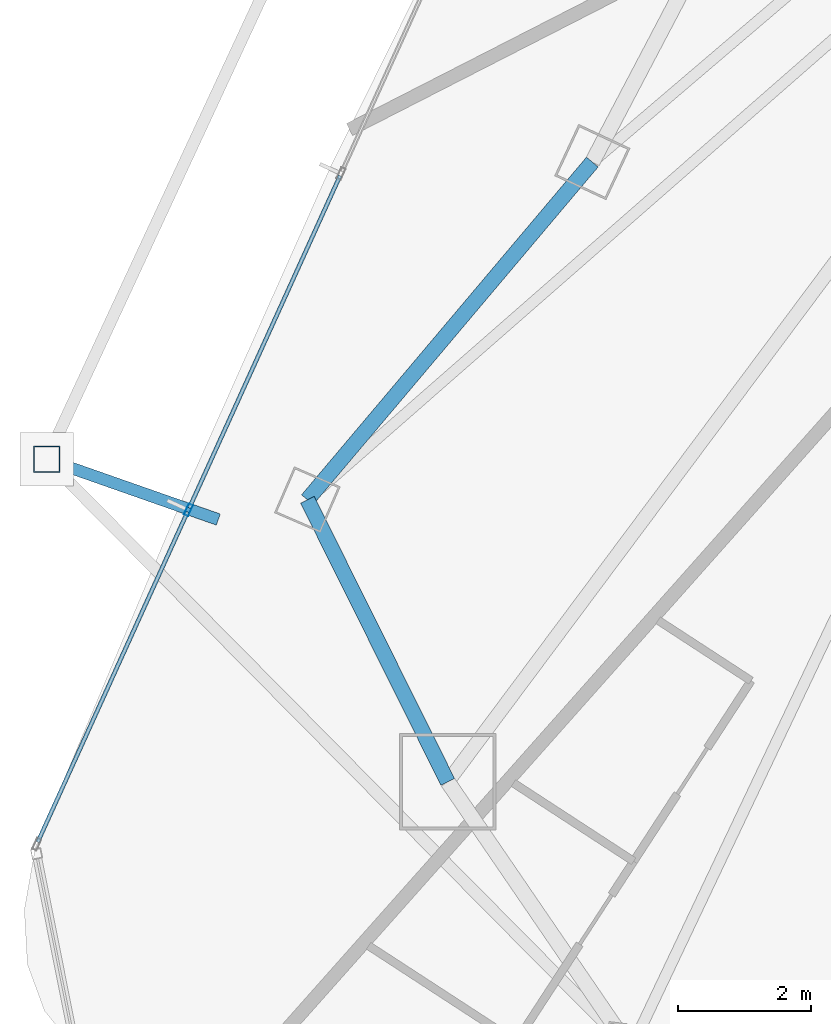
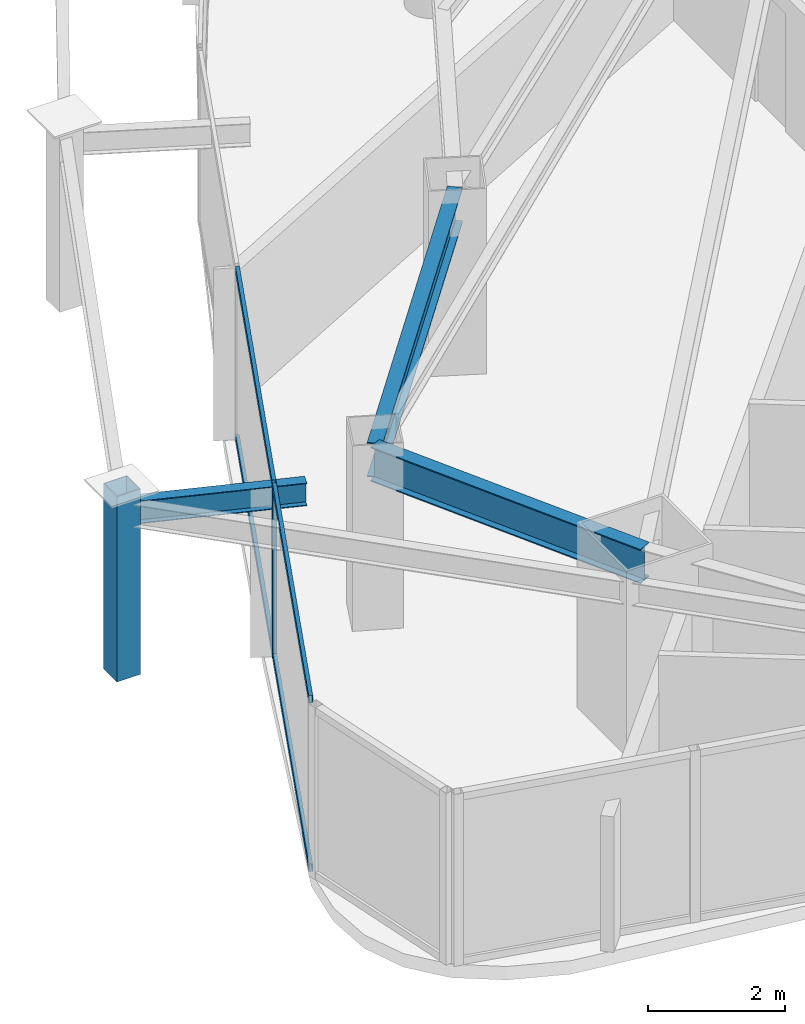
# One storey, part 5 of 31: 6 members, 3 beams, 1 element without a shape of its own.
"""IFC4 building model written with IfcOpenShell, lengths in metres."""

from ifc_helpers import new_model, si_unit, direction, frame, origin, origin_2d, place, context, subcontext, project, spatial, hollow_rectangle, i_section, extrude, material, layer, layer_set, material_profile, profile_set, type_object, element, aggregate, save


model = new_model("IFC4")

# Units and contexts
model_context = context("Model", 3, precision=1e-05, world=origin(), true_north=direction((0.0, 1.0)))
body_context = subcontext(model_context, "Body", "Model", "MODEL_VIEW")
ifc_project = project(units=[si_unit("LENGTHUNIT", "METRE"), si_unit("AREAUNIT", "SQUARE_METRE"), si_unit("VOLUMEUNIT", "CUBIC_METRE"), si_unit("PLANEANGLEUNIT", "RADIAN"), si_unit("MASSUNIT", "GRAM", prefix="KILO")], contexts=[model_context])

# Site, building, storey
site_placement = place(None, origin())
site = spatial("IfcSite", under=ifc_project, at=site_placement, CompositionType="ELEMENT")
building_placement = place(site_placement, origin())
building = spatial("IfcBuilding", under=site, at=building_placement, Name="Orvanel Arch Residences", CompositionType="ELEMENT")
storey_placement = place(building_placement, frame((0.0, 0.0, 157.25)))
storey = spatial("IfcBuildingStorey", under=building, at=storey_placement, Name="L44", CompositionType="ELEMENT", Elevation=157.25)

# Curtain wall, member
ifc_material_1 = material(Name="Bronze-anodised aluminium AA6063-T6", Category="aluminium")
ifc_layer = layer(ifc_material_1, 0.179931640625)
ifc_layer_set = layer_set([ifc_layer], Name="Bronze-anodised aluminium AA6063-T6")
curtain_wall_type = type_object("IfcCurtainWallType", Name="CW3-MID-SYS", PredefinedType="NOTDEFINED", material=ifc_layer_set)
curtain_wall_placement = place(storey_placement, origin())
curtain_wall = element("IfcCurtainWall", 1, at=curtain_wall_placement, inside=storey, type_object=curtain_wall_type, Name="L44 CW3-MID-SYS Unitised Curtain Wall", PredefinedType="NOTDEFINED")
ifc_material_profile_1 = material_profile(ifc_material_1, hollow_rectangle(XDim=0.070068359375, YDim=0.179931640625, WallThickness=0.00439453125, at=origin_2d()), Name="ALU180x70x4.5")
ifc_profile_set_1 = profile_set([ifc_material_profile_1], Name="Bronze-anodised aluminium AA6063-T6")
member_type_1 = type_object("IfcMemberType", Name="MUL-180x70", PredefinedType="MULLION", material=ifc_profile_set_1)
member_1_placement = place(storey_placement, frame((10.311767578125, 14.427001953125, 0.0), z_axis=(0.0, 0.0, 1.0), x_axis=(0.910648730279, -0.413181425091, 0.0)))
member_1 = element("IfcMember", 2, at=member_1_placement, type_object=member_type_1, Name="CW-S3 mullion 3", PredefinedType="MULLION", context=body_context, shape_type="SweptSolid", body=[
    extrude(hollow_rectangle(XDim=0.070068359375, YDim=0.179931640625, WallThickness=0.00439453125, at=origin_2d()), origin(), (0.0, 0.0, 1.0), 3.06005859375),
])

# Beams
ifc_material_2 = material(Name="Structural steel AS/NZS 3679.1 Grade 300 (300 MPa)", Category="steel")
ifc_material_profile_2 = material_profile(ifc_material_2, i_section(OverallWidth=0.177978515625, OverallDepth=0.406005859375, WebThickness=0.0078125, FlangeThickness=0.0126953125, at=origin_2d()), Name="410UB59.7")
ifc_profile_set_2 = profile_set([ifc_material_profile_2], Name="Structural steel AS/NZS 3679.1 Grade 300 (300 MPa)")
beam_type_1 = type_object("IfcBeamType", Name="OB-410UB-EXT", PredefinedType="SPANDREL", material=ifc_profile_set_2)
beam_1_placement = place(storey_placement, frame((10.760009765625, 14.282958984375, 2.85693359375), z_axis=(-0.943680931687, 0.330856916461, 0.0), x_axis=(-0.330856916461, -0.943680931687, 0.0)))
element("IfcBeam", 3, at=beam_1_placement, inside=storey, type_object=beam_type_1, Name="L44 Outer Frame Radial Tie Beam 04", PredefinedType="SPANDREL", context=body_context, shape_type="SweptSolid", body=[
    extrude(i_section(OverallWidth=0.177978515625, OverallDepth=0.406005859375, WebThickness=0.0078125, FlangeThickness=0.0126953125, at=origin_2d()), origin(), (0.0, 0.0, 1.0), 2.7265625),
])
ifc_material_profile_3 = material_profile(ifc_material_2, i_section(OverallWidth=0.22900390625, OverallDepth=0.612060546875, WebThickness=0.011962890625, FlangeThickness=0.01953125, at=origin_2d()), Name="610UB125")
ifc_profile_set_3 = profile_set([ifc_material_profile_3], Name="Structural steel AS/NZS 3679.1 Grade 300 (300 MPa)")
beam_type_2 = type_object("IfcBeamType", Name="SP-610UB", PredefinedType="SPANDREL", material=ifc_profile_set_3)
beam_2_placement = place(storey_placement, frame((16.366943359375, 19.64208984375, 2.75390625), z_axis=(-0.644950329775, -0.764224490659, 0.0), x_axis=(0.764224490659, -0.644950329775, 0.0)))
element("IfcBeam", 4, at=beam_2_placement, inside=storey, type_object=beam_type_2, Name="L44 Perimeter Spandrel Beam 01", PredefinedType="SPANDREL", context=body_context, shape_type="SweptSolid", body=[
    extrude(i_section(OverallWidth=0.22900390625, OverallDepth=0.612060546875, WebThickness=0.011962890625, FlangeThickness=0.01953125, at=origin_2d()), origin(), (0.0, 0.0, 1.0), 6.623779296875),
])
beam_3_placement = place(storey_placement, frame((12.094970703125, 14.580078125, 2.75390625), z_axis=(0.44543469453, -0.895314432425, 0.0), x_axis=(0.895314432425, 0.44543469453, 0.0)))
element("IfcBeam", 5, at=beam_3_placement, inside=storey, type_object=beam_type_2, Name="L44 Perimeter Spandrel Beam 02", PredefinedType="SPANDREL", context=body_context, shape_type="SweptSolid", body=[
    extrude(i_section(OverallWidth=0.22900390625, OverallDepth=0.612060546875, WebThickness=0.011962890625, FlangeThickness=0.01953125, at=origin_2d()), origin(), (0.0, 0.0, 1.0), 4.723388671875),
])

# Member
ifc_material_3 = material(Name="Structural steel AS/NZS 1163 C450L0 (Grade 450)", Category="steel")
ifc_material_profile_4 = material_profile(ifc_material_3, hollow_rectangle(XDim=0.39990234375, YDim=0.39990234375, WallThickness=0.01611328125, at=origin_2d()), Name="SHS400x400x16")
ifc_profile_set_4 = profile_set([ifc_material_profile_4], Name="Structural steel AS/NZS 1163 C450L0 (Grade 450)")
member_type_2 = type_object("IfcMemberType", Name="ST-400SHS-EXT", PredefinedType="STRUT", material=ifc_profile_set_4)
member_2_placement = place(storey_placement, frame((8.18701171875, 15.18505859375, 0.0), z_axis=(0.0, 0.0, 1.0), x_axis=(1.0, 0.0, 0.0)))
element("IfcMember", 6, at=member_2_placement, inside=storey, type_object=member_type_2, Name="L44 Outer Perimeter Frame Post 04", PredefinedType="STRUT", context=body_context, shape_type="SweptSolid", body=[
    extrude(hollow_rectangle(XDim=0.39990234375, YDim=0.39990234375, WallThickness=0.01611328125, at=origin_2d()), origin(), (0.0, 0.0, 1.0), 3.300048828125),
])

ifc_material_profile_5 = material_profile(ifc_material_1, hollow_rectangle(XDim=0.06005859375, YDim=0.135009765625, WallThickness=0.00390625, at=origin_2d()), Name="ALU135x60x4")
ifc_profile_set_5 = profile_set([ifc_material_profile_5], Name="Bronze-anodised aluminium AA6063-T6")
member_type_3 = type_object("IfcMemberType", Name="TRN-135x60", PredefinedType="USERDEFINED", material=ifc_profile_set_5)
member_3_placement = place(storey_placement, frame((12.5849609375, 19.43701171875, 0.030029296875), z_axis=(-0.413203907421, -0.910638529216, 0.0), x_axis=(0.910638529216, -0.413203907421, 0.0)))
member_3 = element("IfcMember", 7, at=member_3_placement, type_object=member_type_3, Name="CW-S3 transom 2.1", ObjectType="TRANSOM", PredefinedType="USERDEFINED", context=body_context, shape_type="SweptSolid", body=[
    extrude(hollow_rectangle(XDim=0.06005859375, YDim=0.135009765625, WallThickness=0.00390625, at=origin_2d()), origin(), (0.0, 0.0, 1.0), 5.466552734375),
])

member_4_placement = place(storey_placement, frame((12.5849609375, 19.43701171875, 3.030029296875), z_axis=(-0.413203907421, -0.910638529216, 0.0), x_axis=(0.910638529216, -0.413203907421, 0.0)))
member_4 = element("IfcMember", 8, at=member_4_placement, type_object=member_type_3, Name="CW-S3 transom 2.2", ObjectType="TRANSOM", PredefinedType="USERDEFINED", context=body_context, shape_type="SweptSolid", body=[
    extrude(hollow_rectangle(XDim=0.06005859375, YDim=0.135009765625, WallThickness=0.00390625, at=origin_2d()), origin(), (0.0, 0.0, 1.0), 5.466552734375),
])

member_5_placement = place(storey_placement, frame((10.297119140625, 14.39501953125, 0.030029296875), z_axis=(-0.413166175984, -0.910655648982, 0.0), x_axis=(0.910655648982, -0.413166175984, 0.0)))
member_5 = element("IfcMember", 9, at=member_5_placement, type_object=member_type_3, Name="CW-S3 transom 3.1", ObjectType="TRANSOM", PredefinedType="USERDEFINED", context=body_context, shape_type="SweptSolid", body=[
    extrude(hollow_rectangle(XDim=0.06005859375, YDim=0.135009765625, WallThickness=0.00390625, at=origin_2d()), origin(), (0.0, 0.0, 1.0), 5.431640625),
])

member_6_placement = place(storey_placement, frame((10.297119140625, 14.39501953125, 3.030029296875), z_axis=(-0.413166175984, -0.910655648982, 0.0), x_axis=(0.910655648982, -0.413166175984, 0.0)))
member_6 = element("IfcMember", 10, at=member_6_placement, type_object=member_type_3, Name="CW-S3 transom 3.2", ObjectType="TRANSOM", PredefinedType="USERDEFINED", context=body_context, shape_type="SweptSolid", body=[
    extrude(hollow_rectangle(XDim=0.06005859375, YDim=0.135009765625, WallThickness=0.00390625, at=origin_2d()), origin(), (0.0, 0.0, 1.0), 5.431640625),
])

aggregate(curtain_wall, [member_1, member_3, member_4, member_5, member_6])

save(model, "model.ifc")
